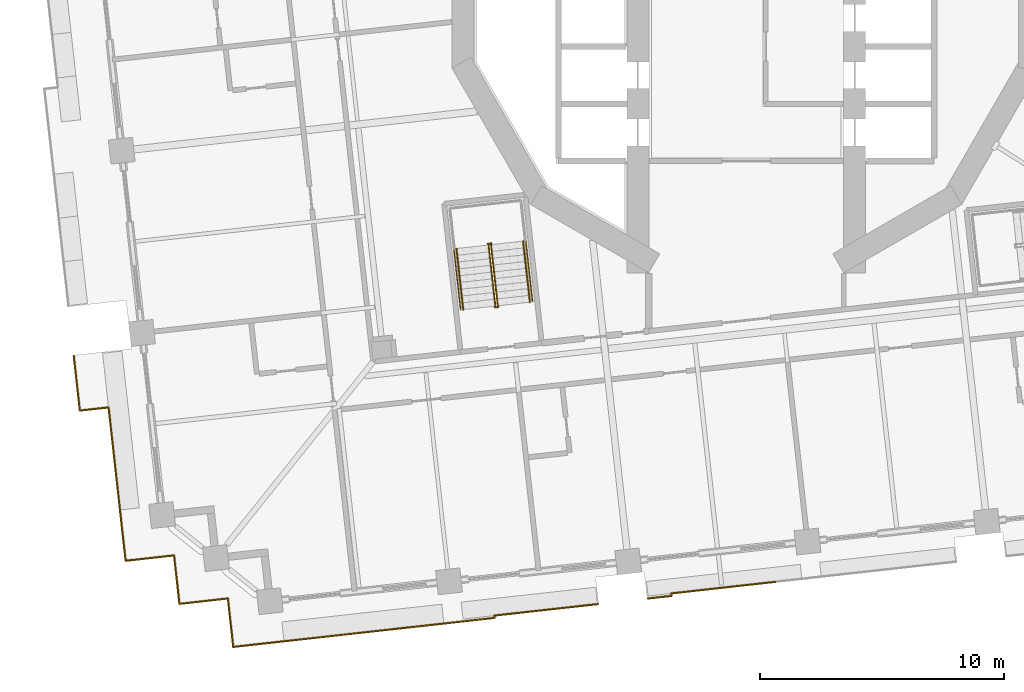
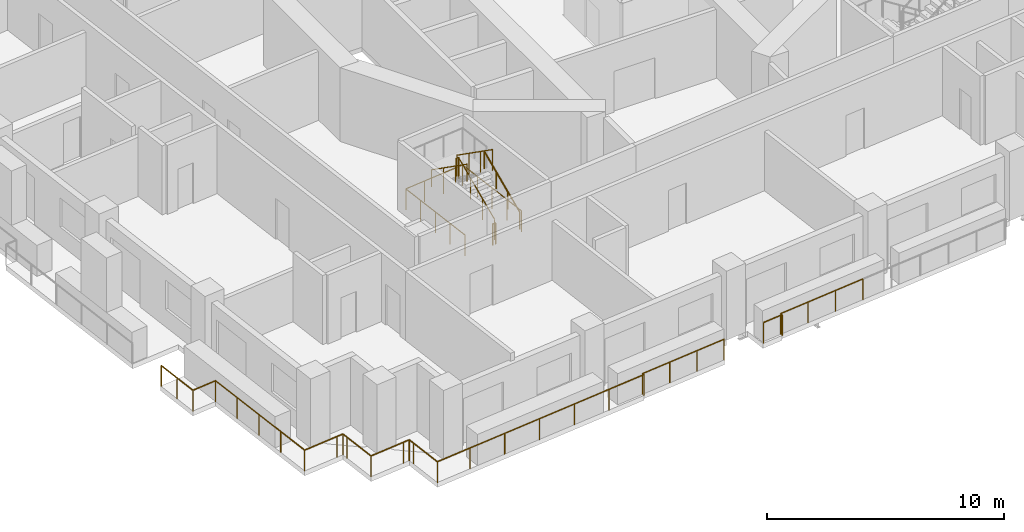
# One storey, part 15 of 21: 9 railings.
"""IFC4 building model written with IfcOpenShell, lengths in metres."""

import ifcopenshell
import ifcopenshell.guid

model = None  # the IFC model being written
_history = None  # IfcOwnerHistory: only IFC2X3 demands one
_inside = {}  # id of a spatial element -> (the spatial element, [elements in it])
_under = {}  # id of a project, library or spatial element -> (it, [spatial elements below it])
_declared = {}  # id of a project -> (the project, [libraries it declares])
_typed = {}  # id of a type object -> (the type object, [elements of that type])
_made_of = {}  # id of a material, layer set ... -> (it, [elements and type objects made of it])


def new_model(schema):
    """Start an empty IFC model of exactly this schema.

    Asked for "IFC4X3", IfcOpenShell would pick the latest addendum, in which some entities
    have other attributes; the version numbers below select the first issue.
    IFC2X3 requires an IfcOwnerHistory on every rooted entity: one is made here for all.
    """
    global model, _history
    if schema == "IFC4X3":
        model = ifcopenshell.file(schema_version=(4, 3, 0, 0))
    else:
        model = ifcopenshell.file(schema=schema)
    _inside.clear()
    _under.clear()
    _declared.clear()
    _typed.clear()
    _made_of.clear()
    _history = None
    if model.schema == "IFC2X3":
        org = make("IfcOrganization", Name="unknown")
        user = make(
            "IfcPersonAndOrganization",
            ThePerson=make("IfcPerson", FamilyName="unknown"),
            TheOrganization=org,
        )
        app = make(
            "IfcApplication",
            ApplicationDeveloper=org,
            Version="unknown",
            ApplicationFullName="unknown",
            ApplicationIdentifier="unknown",
        )
        _history = make(
            "IfcOwnerHistory",
            OwningUser=user,
            OwningApplication=app,
            ChangeAction="ADDED",
            CreationDate=0,
        )
    return model


def make(cls, **values):
    """One entity of the class cls with the attributes given. An attribute that is None is left unset."""
    return model.create_entity(
        cls, **{name: value for name, value in values.items() if value is not None}
    )


def rooted(cls, **values):
    """An entity with a GlobalId (a new one), such as an element, a storey or a relation."""
    return make(cls, GlobalId=ifcopenshell.guid.new(), OwnerHistory=_history, **values)


def si_unit(unit_type, name, prefix=None):
    """IfcSIUnit, for example si_unit("LENGTHUNIT", "METRE", prefix="MILLI")."""
    return make("IfcSIUnit", UnitType=unit_type, Prefix=prefix, Name=name)


def assignment(units):
    """IfcUnitAssignment: the units of a project."""
    return None if units is None else make("IfcUnitAssignment", Units=units)


def point(xyz):
    """IfcCartesianPoint."""
    return None if xyz is None else make("IfcCartesianPoint", Coordinates=xyz)


def direction(xyz):
    """IfcDirection."""
    return None if xyz is None else make("IfcDirection", DirectionRatios=xyz)


def frame(location, z_axis=None, x_axis=None):
    """IfcAxis2Placement3D, a coordinate frame: its origin and axes. An axis left out is left unset."""
    return make(
        "IfcAxis2Placement3D",
        Location=point(location),
        Axis=direction(z_axis),
        RefDirection=direction(x_axis),
    )


def frame_2d(location, x_axis=None):
    """IfcAxis2Placement2D, a coordinate frame in the plane: its origin and x axis."""
    return make(
        "IfcAxis2Placement2D", Location=point(location), RefDirection=direction(x_axis)
    )


def origin():
    """The frame at (0, 0, 0) with its axes left unset."""
    return frame((0.0, 0.0, 0.0))


def origin_2d():
    """The frame at (0, 0) in the plane with its x axis left unset."""
    return frame_2d((0.0, 0.0))


def place(relative_to, where):
    """IfcLocalPlacement: puts the frame where relative to a parent placement (None: the world)."""
    return make(
        "IfcLocalPlacement", PlacementRelTo=relative_to, RelativePlacement=where
    )


def context(
    kind, dimensions, precision=None, world=None, true_north=None, identifier=None
):
    """IfcGeometricRepresentationContext, for example the 3D "Model" context."""
    return make(
        "IfcGeometricRepresentationContext",
        ContextIdentifier=identifier,
        ContextType=kind,
        CoordinateSpaceDimension=dimensions,
        Precision=precision,
        WorldCoordinateSystem=world,
        TrueNorth=true_north,
    )


def subcontext(parent, identifier, kind, view, scale=None):
    """IfcGeometricRepresentationSubContext, for example "Body" below "Model"."""
    return make(
        "IfcGeometricRepresentationSubContext",
        ContextIdentifier=identifier,
        ContextType=kind,
        ParentContext=parent,
        TargetScale=scale,
        TargetView=view,
    )


def project(units=None, contexts=None):
    """IfcProject with its units and contexts."""
    return rooted(
        "IfcProject",
        Name="project",
        RepresentationContexts=contexts,
        UnitsInContext=assignment(units),
    )


def spatial(cls, under=None, at=None, **own):
    """A site, building, storey or space (cls), placed at a placement, below another one or the project."""
    s = rooted(cls, ObjectPlacement=at, **own)
    if under is not None:
        _under.setdefault(under.id(), (under, []))[1].append(s)
    return s


def profile(cls, at=None, kind="AREA", **sizes):
    """A parametric profile (cls). Its sizes go by their IFC names, for example OverallWidth=200.0."""
    return make(cls, ProfileType=kind, Position=at, **sizes)


def circle(**sizes):
    """IfcCircleProfileDef."""
    return profile("IfcCircleProfileDef", **sizes)


def extrude(swept, where, along, depth):
    """IfcExtrudedAreaSolid: the profile swept, set in the frame where, extruded along a direction by depth."""
    return make(
        "IfcExtrudedAreaSolid",
        SweptArea=swept,
        Position=where,
        ExtrudedDirection=direction(along),
        Depth=depth,
    )


def shape(context_of_items, identifier, shape_type, items):
    """IfcShapeRepresentation: the items that make up one representation, for example the "Body"."""
    return make(
        "IfcShapeRepresentation",
        ContextOfItems=context_of_items,
        RepresentationIdentifier=identifier,
        RepresentationType=shape_type,
        Items=items,
    )


def material(Name=None, Category=None):
    """IfcMaterial."""
    return make("IfcMaterial", Name=Name, Category=Category)


def made_of(thing, what):
    """Note that an element or type object is made of a material, layer set ...; save() writes the relation."""
    if what is not None:
        _made_of.setdefault(what.id(), (what, []))[1].append(thing)
    return thing


def type_object(cls, material=None, **own):
    """A type object (cls), such as IfcWallType, which elements share."""
    return made_of(rooted(cls, **own), material)


def element(
    cls,
    number,
    at=None,
    inside=None,
    cuts=None,
    type_object=None,
    material=None,
    context=None,
    identifier="Body",
    shape_type=None,
    held_by="IfcProductDefinitionShape",
    body=None,
    shapes=None,
    **own,
):
    """One element of the class cls, such as IfcWall. Its Tag is "e" and its number.

    at: its placement. inside: the storey or other place that contains it. cuts: it is an
    opening in that element (IfcRelVoidsElement). A single representation is given by context,
    identifier, shape_type and body (its items); several are given by shapes. held_by: the class
    of the entity that holds the representations. save() writes the other relations.
    """
    e = rooted(cls, Tag="e%d" % number, ObjectPlacement=at, **own)
    if body is not None:
        shapes = [shape(context, identifier, shape_type, body)]
    if shapes is not None:
        e.Representation = make(held_by, Representations=shapes)
    if inside is not None:
        _inside.setdefault(inside.id(), (inside, []))[1].append(e)
    if cuts is not None:
        rooted(
            "IfcRelVoidsElement", RelatingBuildingElement=cuts, RelatedOpeningElement=e
        )
    if type_object is not None:
        _typed.setdefault(type_object.id(), (type_object, []))[1].append(e)
    return made_of(e, material)


def aggregate(whole, parts):
    """IfcRelAggregates: a whole, such as a stair, and the parts it consists of."""
    return rooted("IfcRelAggregates", RelatingObject=whole, RelatedObjects=parts)


def save(model, path):
    """Write the relations noted so far, then the file.

    IfcRelAggregates (storeys below a building ...), IfcRelContainedInSpatialStructure (elements
    in a storey), IfcRelDefinesByType, IfcRelAssociatesMaterial and IfcRelDeclares: one each for
    every whole, place, type object, material and project.
    """
    for whole, parts in _under.values():
        aggregate(whole, parts)
    for where, things in _inside.values():
        rooted(
            "IfcRelContainedInSpatialStructure",
            RelatedElements=things,
            RelatingStructure=where,
        )
    for kind, things in _typed.values():
        rooted("IfcRelDefinesByType", RelatedObjects=things, RelatingType=kind)
    for what, things in _made_of.values():
        rooted("IfcRelAssociatesMaterial", RelatedObjects=things, RelatingMaterial=what)
    for by, libraries in _declared.values():
        rooted("IfcRelDeclares", RelatingContext=by, RelatedDefinitions=libraries)
    model.write(path)


model = new_model("IFC4")

# Units and contexts
model_context = context("Model", 3, precision=1e-05, world=origin(), true_north=direction((0.0, 1.0)))
body_context = subcontext(model_context, "Body", "Model", "MODEL_VIEW")
ifc_project = project(units=[si_unit("LENGTHUNIT", "METRE"), si_unit("AREAUNIT", "SQUARE_METRE"), si_unit("VOLUMEUNIT", "CUBIC_METRE"), si_unit("PLANEANGLEUNIT", "RADIAN"), si_unit("MASSUNIT", "GRAM", prefix="KILO")], contexts=[model_context])

# Site, building, storey
site_placement = place(None, origin())
site = spatial("IfcSite", under=ifc_project, at=site_placement, CompositionType="ELEMENT")
building_placement = place(site_placement, origin())
building = spatial("IfcBuilding", under=site, at=building_placement, Name="Cantera Rosa Tower", CompositionType="ELEMENT")
storey_placement = place(building_placement, frame((0.0, 0.0, 61.5)))
storey = spatial("IfcBuildingStorey", under=building, at=storey_placement, Name="L12", CompositionType="ELEMENT", Elevation=61.5)

# Railings
ifc_material_1 = material(Name="Stainless steel and laminated glass", Category="steel")
railing_type_1 = type_object("IfcRailingType", Name="GUARD 1100", PredefinedType="BALUSTRADE", material=ifc_material_1)
railing_1_placement = place(storey_placement, frame((-25.46826171875, -23.45263671875, 0.0)))
element("IfcRailing", 1, at=railing_1_placement, inside=storey, type_object=railing_type_1, Name="GUARD L12-1", PredefinedType="BALUSTRADE", context=body_context, shape_type="SweptSolid", body=[
    extrude(circle(Radius=0.030029296875, at=origin_2d()), frame((0.0, 0.0, 1.070068359375), z_axis=(-0.110289669906, 0.993899486222, 0.0), x_axis=(-0.993899486222, -0.110289669906, 0.0)), (0.0, 0.0, 1.0), 1.699951171875),
    extrude(circle(Radius=0.030029296875, at=origin_2d()), frame((-0.1875, 1.689697265625, 1.070068359375), z_axis=(-0.110310048323, 0.993897224686, 0.0), x_axis=(-0.993897224686, -0.110310048323, 0.0)), (0.0, 0.0, 1.0), 4.63232421875),
    extrude(circle(Radius=0.030029296875, at=origin_2d()), frame((-0.698486328125, 6.293701171875, 1.070068359375), z_axis=(-0.993911279604, -0.110183339373, 0.0), x_axis=(0.110183339373, -0.993911279604, 0.0)), (0.0, 0.0, 1.0), 1.187744140625),
    extrude(circle(Radius=0.030029296875, at=origin_2d()), frame((-1.87890625, 6.162841796875, 1.070068359375), z_axis=(-0.110312824257, 0.993896916589, 0.0), x_axis=(-0.993896916589, -0.110312824257, 0.0)), (0.0, 0.0, 1.0), 2.25732421875),
    extrude(circle(Radius=0.02490234375, at=origin_2d()), origin(), (0.0, 0.0, 1.0), 1.0400390625),
    extrude(circle(Radius=0.02490234375, at=origin_2d()), frame((-0.1875, 1.689697265625, 0.0)), (0.0, 0.0, 1.0), 1.0400390625),
    extrude(circle(Radius=0.02490234375, at=origin_2d()), frame((-0.35791015625, 3.224365234375, 0.0)), (0.0, 0.0, 1.0), 1.0400390625),
    extrude(circle(Radius=0.02490234375, at=origin_2d()), frame((-0.528076171875, 4.759033203125, 0.0)), (0.0, 0.0, 1.0), 1.0400390625),
    extrude(circle(Radius=0.02490234375, at=origin_2d()), frame((-0.698486328125, 6.293701171875, 0.0)), (0.0, 0.0, 1.0), 1.0400390625),
    extrude(circle(Radius=0.02490234375, at=origin_2d()), frame((-1.87890625, 6.162841796875, 0.0)), (0.0, 0.0, 1.0), 1.0400390625),
    extrude(circle(Radius=0.02490234375, at=origin_2d()), frame((-2.00341796875, 7.28466796875, 0.0)), (0.0, 0.0, 1.0), 1.0400390625),
    extrude(circle(Radius=0.02490234375, at=origin_2d()), frame((-2.1279296875, 8.406494140625, 0.0)), (0.0, 0.0, 1.0), 1.0400390625),
])
railing_2_placement = place(storey_placement, frame((-6.083984375, -25.22900390625, 0.0)))
element("IfcRailing", 2, at=railing_2_placement, inside=storey, type_object=railing_type_1, Name="GUARD L12-2", PredefinedType="BALUSTRADE", context=body_context, shape_type="SweptSolid", body=[
    extrude(circle(Radius=0.030029296875, at=origin_2d()), frame((0.0, 0.0, 1.070068359375), z_axis=(-0.993899065121, -0.110293464685, 0.0), x_axis=(0.110293464685, -0.993899065121, 0.0)), (0.0, 0.0, 1.0), 4.27001953125),
    extrude(circle(Radius=0.030029296875, at=origin_2d()), frame((-4.243896484375, -0.470947265625, 1.070068359375), z_axis=(0.109039814969, -0.994037382975, 0.0), x_axis=(0.994037382975, 0.109039814969, 0.0)), (0.0, 0.0, 1.0), 0.09619140625),
    extrude(circle(Radius=0.030029296875, at=origin_2d()), frame((-4.2333984375, -0.566650390625, 1.070068359375), z_axis=(-0.993899102511, -0.110293127745, 0.0), x_axis=(0.110293127745, -0.993899102511, 0.0)), (0.0, 0.0, 1.0), 9.099853515625),
    extrude(circle(Radius=0.030029296875, at=origin_2d()), frame((-13.27783203125, -1.5703125, 1.070068359375), z_axis=(-0.993883734674, -0.110431526075, 0.0), x_axis=(0.110431526075, -0.993883734674, 0.0)), (0.0, 0.0, 1.0), 1.7001953125),
    extrude(circle(Radius=0.030029296875, at=origin_2d()), frame((-14.967529296875, -1.758056640625, 1.070068359375), z_axis=(-0.110289669906, 0.993899486222, 0.0), x_axis=(-0.993899486222, -0.110289669906, 0.0)), (0.0, 0.0, 1.0), 1.699951171875),
    extrude(circle(Radius=0.030029296875, at=origin_2d()), frame((-15.155029296875, -0.068359375, 1.070068359375), z_axis=(-0.110699535641, 0.99385391925, 0.0), x_axis=(-0.99385391925, -0.110699535641, 0.0)), (0.0, 0.0, 1.0), 0.300048828125),
    extrude(circle(Radius=0.030029296875, at=origin_2d()), frame((-15.188232421875, 0.229736328125, 1.070068359375), z_axis=(-0.993943154022, -0.10989543472, 0.0), x_axis=(0.10989543472, -0.993943154022, 0.0)), (0.0, 0.0, 1.0), 0.2998046875),
    extrude(circle(Radius=0.030029296875, at=origin_2d()), frame((-15.486328125, 0.19677734375, 1.070068359375), z_axis=(-0.993899486222, -0.110289669906, 0.0), x_axis=(0.110289669906, -0.993899486222, 0.0)), (0.0, 0.0, 1.0), 1.699951171875),
    extrude(circle(Radius=0.030029296875, at=origin_2d()), frame((-17.176025390625, 0.00927734375, 1.070068359375), z_axis=(-0.110305413813, 0.993897739047, 0.0), x_axis=(-0.993897739047, -0.110305413813, 0.0)), (0.0, 0.0, 1.0), 1.69970703125),
    extrude(circle(Radius=0.030029296875, at=origin_2d()), frame((-17.363525390625, 1.69873046875, 1.070068359375), z_axis=(-0.1098065887, 0.993952973273, 0.0), x_axis=(-0.993952973273, -0.1098065887, 0.0)), (0.0, 0.0, 1.0), 0.300048828125),
    extrude(circle(Radius=0.030029296875, at=origin_2d()), frame((-17.396484375, 1.9970703125, 1.070068359375), z_axis=(-0.993863881828, -0.110610055588, 0.0), x_axis=(0.110610055588, -0.993863881828, 0.0)), (0.0, 0.0, 1.0), 0.30029296875),
    extrude(circle(Radius=0.030029296875, at=origin_2d()), frame((-17.69482421875, 1.9638671875, 1.070068359375), z_axis=(-0.993897739047, -0.110305413813, 0.0), x_axis=(0.110305413813, -0.993897739047, 0.0)), (0.0, 0.0, 1.0), 1.69970703125),
    extrude(circle(Radius=0.02490234375, at=origin_2d()), origin(), (0.0, 0.0, 1.0), 1.0400390625),
    extrude(circle(Radius=0.02490234375, at=origin_2d()), frame((-1.41455078125, -0.156982421875, 0.0)), (0.0, 0.0, 1.0), 1.0400390625),
    extrude(circle(Radius=0.02490234375, at=origin_2d()), frame((-2.829345703125, -0.31396484375, 0.0)), (0.0, 0.0, 1.0), 1.0400390625),
    extrude(circle(Radius=0.02490234375, at=origin_2d()), frame((-4.243896484375, -0.470947265625, 0.0)), (0.0, 0.0, 1.0), 1.0400390625),
    extrude(circle(Radius=0.02490234375, at=origin_2d()), frame((-4.2333984375, -0.566650390625, 0.0)), (0.0, 0.0, 1.0), 1.0400390625),
    extrude(circle(Radius=0.02490234375, at=origin_2d()), frame((-6.042236328125, -0.767333984375, 0.0)), (0.0, 0.0, 1.0), 1.0400390625),
    extrude(circle(Radius=0.02490234375, at=origin_2d()), frame((-7.85107421875, -0.968017578125, 0.0)), (0.0, 0.0, 1.0), 1.0400390625),
    extrude(circle(Radius=0.02490234375, at=origin_2d()), frame((-9.66015625, -1.1689453125, 0.0)), (0.0, 0.0, 1.0), 1.0400390625),
    extrude(circle(Radius=0.02490234375, at=origin_2d()), frame((-11.468994140625, -1.36962890625, 0.0)), (0.0, 0.0, 1.0), 1.0400390625),
    extrude(circle(Radius=0.02490234375, at=origin_2d()), frame((-13.27783203125, -1.5703125, 0.0)), (0.0, 0.0, 1.0), 1.0400390625),
    extrude(circle(Radius=0.02490234375, at=origin_2d()), frame((-14.967529296875, -1.758056640625, 0.0)), (0.0, 0.0, 1.0), 1.0400390625),
    extrude(circle(Radius=0.02490234375, at=origin_2d()), frame((-15.155029296875, -0.068359375, 0.0)), (0.0, 0.0, 1.0), 1.0400390625),
    extrude(circle(Radius=0.02490234375, at=origin_2d()), frame((-15.188232421875, 0.229736328125, 0.0)), (0.0, 0.0, 1.0), 1.0400390625),
    extrude(circle(Radius=0.02490234375, at=origin_2d()), frame((-15.486328125, 0.19677734375, 0.0)), (0.0, 0.0, 1.0), 1.0400390625),
    extrude(circle(Radius=0.02490234375, at=origin_2d()), frame((-17.176025390625, 0.00927734375, 0.0)), (0.0, 0.0, 1.0), 1.0400390625),
    extrude(circle(Radius=0.02490234375, at=origin_2d()), frame((-17.363525390625, 1.69873046875, 0.0)), (0.0, 0.0, 1.0), 1.0400390625),
    extrude(circle(Radius=0.02490234375, at=origin_2d()), frame((-17.396484375, 1.9970703125, 0.0)), (0.0, 0.0, 1.0), 1.0400390625),
    extrude(circle(Radius=0.02490234375, at=origin_2d()), frame((-17.69482421875, 1.9638671875, 0.0)), (0.0, 0.0, 1.0), 1.0400390625),
    extrude(circle(Radius=0.02490234375, at=origin_2d()), frame((-19.38427734375, 1.7763671875, 0.0)), (0.0, 0.0, 1.0), 1.0400390625),
])
railing_3_placement = place(storey_placement, frame((1.189697265625, -24.317138671875, 0.0)))
element("IfcRailing", 3, at=railing_3_placement, inside=storey, type_object=railing_type_1, Name="GUARD L12-8", PredefinedType="BALUSTRADE", context=body_context, shape_type="SweptSolid", body=[
    extrude(circle(Radius=0.030029296875, at=origin_2d()), frame((0.0, 0.0, 1.070068359375), z_axis=(-0.993897587788, -0.110306776711, 0.0), x_axis=(0.110306776711, -0.993897587788, 0.0)), (0.0, 0.0, 1.0), 4.2958984375),
    extrude(circle(Radius=0.030029296875, at=origin_2d()), frame((-4.269775390625, -0.473876953125, 1.070068359375), z_axis=(0.110431526075, -0.993883734674, 0.0), x_axis=(0.993883734674, 0.110431526075, 0.0)), (0.0, 0.0, 1.0), 0.10400390625),
    extrude(circle(Radius=0.030029296875, at=origin_2d()), frame((-4.25830078125, -0.5771484375, 1.070068359375), z_axis=(-0.993899009794, -0.110293963256, 0.0), x_axis=(0.110293963256, -0.993899009794, 0.0)), (0.0, 0.0, 1.0), 0.973876953125),
    extrude(circle(Radius=0.02490234375, at=origin_2d()), origin(), (0.0, 0.0, 1.0), 1.0400390625),
    extrude(circle(Radius=0.02490234375, at=origin_2d()), frame((-1.42333984375, -0.157958984375, 0.0)), (0.0, 0.0, 1.0), 1.0400390625),
    extrude(circle(Radius=0.02490234375, at=origin_2d()), frame((-2.846435546875, -0.31591796875, 0.0)), (0.0, 0.0, 1.0), 1.0400390625),
    extrude(circle(Radius=0.02490234375, at=origin_2d()), frame((-4.269775390625, -0.473876953125, 0.0)), (0.0, 0.0, 1.0), 1.0400390625),
    extrude(circle(Radius=0.02490234375, at=origin_2d()), frame((-4.25830078125, -0.5771484375, 0.0)), (0.0, 0.0, 1.0), 1.0400390625),
    extrude(circle(Radius=0.02490234375, at=origin_2d()), frame((-5.226318359375, -0.6845703125, 0.0)), (0.0, 0.0, 1.0), 1.0400390625),
])
ifc_material_2 = material(Name="Steel S355J2 (EN 10025-2)", Category="steel")
railing_type_2 = type_object("IfcRailingType", Name="STAIR GUARD 1100", PredefinedType="GUARDRAIL", material=ifc_material_2)
railing_4_placement = place(storey_placement, frame((-10.19677734375, -12.986083984375, 0.18994140625)))
element("IfcRailing", 4, at=railing_4_placement, inside=storey, type_object=railing_type_2, Name="L12 ST-13 stair guard 1", PredefinedType="GUARDRAIL", context=body_context, shape_type="SweptSolid", body=[
    extrude(circle(Radius=0.02392578125, at=origin_2d()), frame((0.0, 0.0, 1.076171875), z_axis=(-0.091310000343, 0.822431337597, 0.561488360321), x_axis=(-0.993893182753, -0.110346460196, 0.0)), (0.0, 0.0, 1.0), 3.04541015625),
    extrude(circle(Radius=0.02392578125, at=origin_2d()), frame((-0.278076171875, 2.504638671875, 2.7861328125), z_axis=(0.360141847183, 0.932897555956, 0.0), x_axis=(-0.932897555956, 0.360141847183, 0.0)), (0.0, 0.0, 1.0), 0.05615234375),
    extrude(circle(Radius=0.02392578125, at=origin_2d()), frame((-0.2578125, 2.55712890625, 2.7861328125), z_axis=(-0.994022053584, -0.109179471459, 0.0), x_axis=(0.109179471459, -0.994022053584, 0.0)), (0.0, 0.0, 1.0), 0.14990234375),
    extrude(circle(Radius=0.02099609375, at=origin_2d()), origin(), (0.0, 0.0, 1.0), 1.052001953125),
    extrude(circle(Radius=0.02099609375, at=origin_2d()), frame((-0.0927734375, 0.8349609375, 0.570068359375)), (0.0, 0.0, 1.0), 1.052001953125),
    extrude(circle(Radius=0.02099609375, at=origin_2d()), frame((-0.185302734375, 1.669677734375, 1.139892578125)), (0.0, 0.0, 1.0), 1.052001953125),
    extrude(circle(Radius=0.02099609375, at=origin_2d()), frame((-0.278076171875, 2.504638671875, 1.7099609375)), (0.0, 0.0, 1.0), 1.052001953125),
    extrude(circle(Radius=0.02099609375, at=origin_2d()), frame((-0.2578125, 2.55712890625, 1.7099609375)), (0.0, 0.0, 1.0), 1.052001953125),
    extrude(circle(Radius=0.02099609375, at=origin_2d()), frame((-0.40673828125, 2.540771484375, 1.7099609375)), (0.0, 0.0, 1.0), 1.052001953125),
])
railing_5_placement = place(storey_placement, frame((-10.572265625, -10.4921875, 2.090087890625)))
element("IfcRailing", 5, at=railing_5_placement, inside=storey, type_object=railing_type_2, Name="L12 ST-13 stair guard 2", PredefinedType="GUARDRAIL", context=body_context, shape_type="SweptSolid", body=[
    extrude(circle(Radius=0.02392578125, at=origin_2d()), frame((0.0, 0.0, 1.076171875), z_axis=(0.091310000343, -0.822431337597, 0.561488360321), x_axis=(0.993893182753, 0.110346460196, 0.0)), (0.0, 0.0, 1.0), 3.04541015625),
    extrude(circle(Radius=0.02099609375, at=origin_2d()), origin(), (0.0, 0.0, 1.0), 1.052001953125),
    extrude(circle(Radius=0.02099609375, at=origin_2d()), frame((0.0927734375, -0.8349609375, 0.570068359375)), (0.0, 0.0, 1.0), 1.052001953125),
    extrude(circle(Radius=0.02099609375, at=origin_2d()), frame((0.185302734375, -1.669677734375, 1.139892578125)), (0.0, 0.0, 1.0), 1.052001953125),
    extrude(circle(Radius=0.02099609375, at=origin_2d()), frame((0.278076171875, -2.504638671875, 1.7099609375)), (0.0, 0.0, 1.0), 1.052001953125),
])
railing_6_placement = place(storey_placement, frame((-10.16552734375, -13.032958984375, 0.0)))
element("IfcRailing", 6, at=railing_6_placement, inside=storey, type_object=railing_type_2, Name="L12 ST-13 stair guard 3", PredefinedType="GUARDRAIL", context=body_context, shape_type="SweptSolid", body=[
    extrude(circle(Radius=0.02392578125, at=origin_2d()), frame((0.0, 0.0, 1.076171875), z_axis=(-0.994041430915, -0.1090029065, 0.0), x_axis=(0.1090029065, -0.994041430915, 0.0)), (0.0, 0.0, 1.0), 0.150146484375),
    extrude(circle(Radius=0.02099609375, at=origin_2d()), origin(), (0.0, 0.0, 1.0), 1.052001953125),
    extrude(circle(Radius=0.02099609375, at=origin_2d()), frame((-0.149169921875, -0.016357421875, 0.0)), (0.0, 0.0, 1.0), 1.052001953125),
])
railing_7_placement = place(storey_placement, frame((-8.77099609375, -12.815673828125, 0.0)))
element("IfcRailing", 7, at=railing_7_placement, inside=storey, type_object=railing_type_2, Name="L12 ST-13 stair guard 4", PredefinedType="GUARDRAIL", context=body_context, shape_type="SweptSolid", body=[
    extrude(circle(Radius=0.02392578125, at=origin_2d()), frame((0.0, 0.0, 1.076171875), z_axis=(-0.110323013767, 0.9938957856, 0.0), x_axis=(-0.9938957856, -0.110323013767, 0.0)), (0.0, 0.0, 1.0), 4.197998046875),
    extrude(circle(Radius=0.02392578125, at=origin_2d()), frame((-0.463134765625, 4.17236328125, 1.076171875), z_axis=(-0.993896759678, -0.110314237986, 0.0), x_axis=(0.110314237986, -0.993896759678, 0.0)), (0.0, 0.0, 1.0), 2.969970703125),
    extrude(circle(Radius=0.02392578125, at=origin_2d()), frame((-3.4150390625, 3.8447265625, 1.076171875), z_axis=(0.110323013767, -0.9938957856, 0.0), x_axis=(0.9938957856, 0.110323013767, 0.0)), (0.0, 0.0, 1.0), 4.197998046875),
    extrude(circle(Radius=0.02099609375, at=origin_2d()), origin(), (0.0, 0.0, 1.0), 1.052001953125),
    extrude(circle(Radius=0.02099609375, at=origin_2d()), frame((-0.11572265625, 1.04296875, 0.0)), (0.0, 0.0, 1.0), 1.052001953125),
    extrude(circle(Radius=0.02099609375, at=origin_2d()), frame((-0.2314453125, 2.086181640625, 0.0)), (0.0, 0.0, 1.0), 1.052001953125),
    extrude(circle(Radius=0.02099609375, at=origin_2d()), frame((-0.347412109375, 3.12939453125, 0.0)), (0.0, 0.0, 1.0), 1.052001953125),
    extrude(circle(Radius=0.02099609375, at=origin_2d()), frame((-0.463134765625, 4.17236328125, 0.0)), (0.0, 0.0, 1.0), 1.052001953125),
    extrude(circle(Radius=0.02099609375, at=origin_2d()), frame((-1.447021484375, 4.063232421875, 0.0)), (0.0, 0.0, 1.0), 1.052001953125),
    extrude(circle(Radius=0.02099609375, at=origin_2d()), frame((-2.43115234375, 3.953857421875, 0.0)), (0.0, 0.0, 1.0), 1.052001953125),
    extrude(circle(Radius=0.02099609375, at=origin_2d()), frame((-3.4150390625, 3.8447265625, 0.0)), (0.0, 0.0, 1.0), 1.052001953125),
    extrude(circle(Radius=0.02099609375, at=origin_2d()), frame((-3.29931640625, 2.8017578125, 0.0)), (0.0, 0.0, 1.0), 1.052001953125),
    extrude(circle(Radius=0.02099609375, at=origin_2d()), frame((-3.18359375, 1.758544921875, 0.0)), (0.0, 0.0, 1.0), 1.052001953125),
    extrude(circle(Radius=0.02099609375, at=origin_2d()), frame((-3.067626953125, 0.71533203125, 0.0)), (0.0, 0.0, 1.0), 1.052001953125),
    extrude(circle(Radius=0.02099609375, at=origin_2d()), frame((-2.951904296875, -0.32763671875, 0.0)), (0.0, 0.0, 1.0), 1.052001953125),
])
ifc_material_3 = material(Name="Steel S355J2 (EN 10025-2)", Category="steel")
railing_type_3 = type_object("IfcRailingType", Name="STAIR HANDRAIL 900", PredefinedType="HANDRAIL", material=ifc_material_3)
railing_8_placement = place(storey_placement, frame((-8.87890625, -12.83984375, 0.18994140625)))
element("IfcRailing", 8, at=railing_8_placement, inside=storey, type_object=railing_type_3, Name="L12 ST-13 stair handrail 1", PredefinedType="HANDRAIL", context=body_context, shape_type="SweptSolid", body=[
    extrude(circle(Radius=0.02392578125, at=origin_2d()), frame((0.0, 0.0, 0.8759765625), z_axis=(-0.091310000343, 0.822431337597, 0.561488360321), x_axis=(-0.993893182753, -0.110346460196, 0.0)), (0.0, 0.0, 1.0), 3.04541015625),
    extrude(circle(Radius=0.02099609375, at=origin_2d()), origin(), (0.0, 0.0, 1.0), 0.851806640625),
    extrude(circle(Radius=0.02099609375, at=origin_2d()), frame((-0.0927734375, 0.8349609375, 0.570068359375)), (0.0, 0.0, 1.0), 0.851806640625),
    extrude(circle(Radius=0.02099609375, at=origin_2d()), frame((-0.185302734375, 1.669677734375, 1.139892578125)), (0.0, 0.0, 1.0), 0.851806640625),
    extrude(circle(Radius=0.02099609375, at=origin_2d()), frame((-0.278076171875, 2.504638671875, 1.7099609375)), (0.0, 0.0, 1.0), 0.851806640625),
])
railing_9_placement = place(storey_placement, frame((-11.89013671875, -10.638427734375, 2.090087890625)))
element("IfcRailing", 9, at=railing_9_placement, inside=storey, type_object=railing_type_3, Name="L12 ST-13 stair handrail 2", PredefinedType="HANDRAIL", context=body_context, shape_type="SweptSolid", body=[
    extrude(circle(Radius=0.02392578125, at=origin_2d()), frame((0.0, 0.0, 0.8759765625), z_axis=(0.091310000343, -0.822431337597, 0.561488360321), x_axis=(0.993893182753, 0.110346460196, 0.0)), (0.0, 0.0, 1.0), 3.04541015625),
    extrude(circle(Radius=0.02099609375, at=origin_2d()), origin(), (0.0, 0.0, 1.0), 0.851806640625),
    extrude(circle(Radius=0.02099609375, at=origin_2d()), frame((0.0927734375, -0.8349609375, 0.570068359375)), (0.0, 0.0, 1.0), 0.851806640625),
    extrude(circle(Radius=0.02099609375, at=origin_2d()), frame((0.185302734375, -1.669677734375, 1.139892578125)), (0.0, 0.0, 1.0), 0.851806640625),
    extrude(circle(Radius=0.02099609375, at=origin_2d()), frame((0.278076171875, -2.504638671875, 1.7099609375)), (0.0, 0.0, 1.0), 0.851806640625),
])

save(model, "model.ifc")
